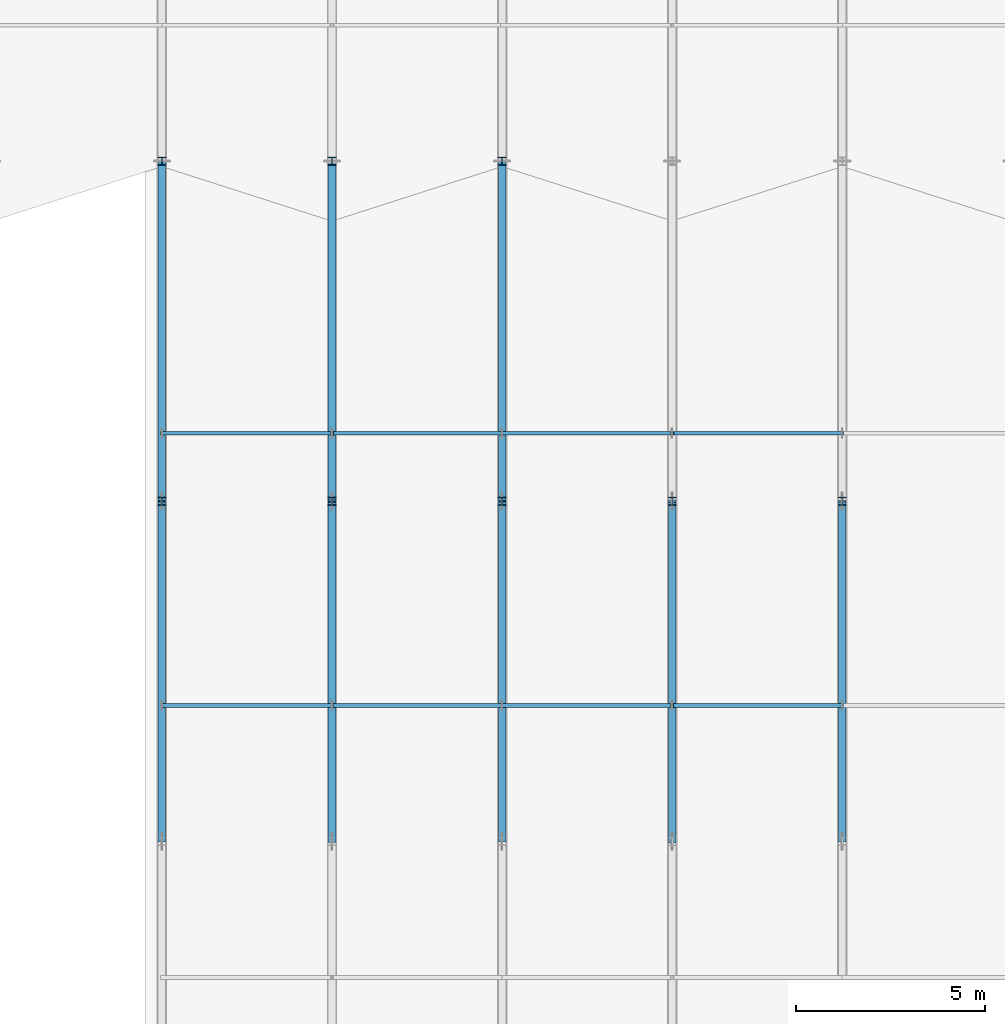
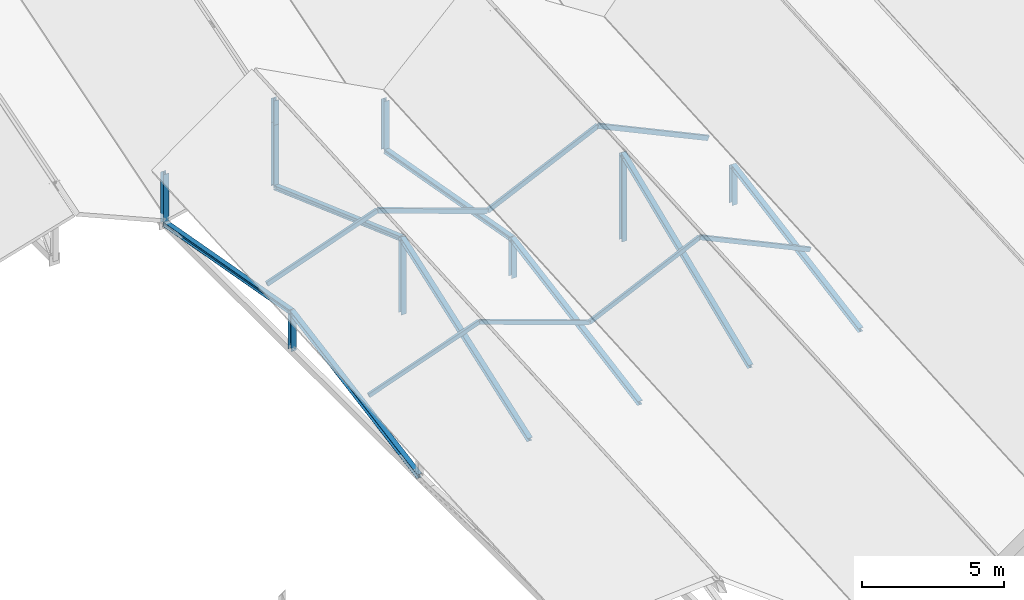
# One storey, part 64 of 142: 25 members.
"""IFC4 building model written with IfcOpenShell, lengths in metres."""

from ifc_helpers import new_model, si_unit, direction, frame, origin, origin_2d, place, context, subcontext, project, spatial, hollow_rectangle, i_section, extrude, material, material_profile, profile_set, type_object, element, save


model = new_model("IFC4")

# Units and contexts
model_context = context("Model", 3, precision=1e-05, world=origin(), true_north=direction((0.0, 1.0)))
body_context = subcontext(model_context, "Body", "Model", "MODEL_VIEW")
ifc_project = project(units=[si_unit("LENGTHUNIT", "METRE"), si_unit("AREAUNIT", "SQUARE_METRE"), si_unit("VOLUMEUNIT", "CUBIC_METRE"), si_unit("PLANEANGLEUNIT", "RADIAN"), si_unit("MASSUNIT", "GRAM", prefix="KILO")], contexts=[model_context])

# Site, building, storey
site_placement = place(None, origin())
site = spatial("IfcSite", under=ifc_project, at=site_placement, CompositionType="ELEMENT")
building_placement = place(site_placement, origin())
building = spatial("IfcBuilding", under=site, at=building_placement, Name="Montelvaro Courts of Justice", CompositionType="ELEMENT")
storey_placement = place(building_placement, frame((0.0, 0.0, 14.39990234375)))
storey = spatial("IfcBuildingStorey", under=building, at=storey_placement, Name="L03", CompositionType="ELEMENT", Elevation=14.39990234375)

# Members
ifc_material = material(Name="Steel S355", Category="steel")
ifc_material_profile_1 = material_profile(ifc_material, i_section(OverallWidth=0.199951171875, OverallDepth=0.18994140625, WebThickness=0.006591796875, FlangeThickness=0.010009765625, at=origin_2d()), Name="HEA 200")
ifc_profile_set_1 = profile_set([ifc_material_profile_1], Name="Steel S355")
member_type_1 = type_object("IfcMemberType", Name="Mem_HEA200_Brace", PredefinedType="BRACE", material=ifc_profile_set_1)
for number, where, z_axis, x_axis, name in (
    (1, (54.0, 60.0, -0.2998046875), (0.0, 0.983994378641, 0.178199502816), (-1.0, 0.0, 0.0), "Roof Truss Web MB-02 ROOF-PASSAGE-VTR01-W3"),
    (2, (54.0, 69.0, 1.330078125), (0.0, 0.983994378641, -0.178199502816), (-1.0, 0.0, 0.0), "Roof Truss Web MB-02 ROOF-PASSAGE-VTR01-W4"),
    (3, (63.0, 60.0, -0.2998046875), (0.0, 0.983994378641, 0.178199502816), (-1.0, 0.0, 0.0), "Roof Truss Web MB-02 ROOF-PASSAGE-VTR02-W3"),
    (4, (63.0, 69.0, 1.330078125), (0.0, 0.983994378641, -0.178199502816), (-1.0, 0.0, 0.0), "Roof Truss Web MB-02 ROOF-PASSAGE-VTR02-W4"),
    (5, (72.0, 60.0, -0.2998046875), (0.0, 0.983994378641, 0.178199502816), (-1.0, 0.0, 0.0), "Roof Truss Web MB-02 ROOF-PASSAGE-VTR03-W3"),
):
    element("IfcMember", number, at=place(storey_placement, frame(where, z_axis=z_axis, x_axis=x_axis)), inside=storey, type_object=member_type_1, Name=name, PredefinedType="BRACE", context=body_context, shape_type="SweptSolid", body=[
        extrude(i_section(OverallWidth=0.199951171875, OverallDepth=0.18994140625, WebThickness=0.006591796875, FlangeThickness=0.010009765625, at=origin_2d()), origin(), (0.0, 0.0, 1.0), 9.146484375),
    ])
for number, where, z_axis, x_axis, name in (
    (6, (58.5, 60.0, -0.2998046875), (0.0, 0.941220899079, 0.337791680089), (-1.0, 0.0, 0.0), "Roof Truss Web MB-02 ROOF-PASSAGE-RTR01-W3"),
    (7, (58.5, 69.0, 2.93017578125), (0.0, 0.941220899079, -0.337791680089), (-1.0, 0.0, 0.0), "Roof Truss Web MB-02 ROOF-PASSAGE-RTR01-W4"),
):
    element("IfcMember", number, at=place(storey_placement, frame(where, z_axis=z_axis, x_axis=x_axis)), inside=storey, type_object=member_type_1, Name=name, PredefinedType="BRACE", context=body_context, shape_type="SweptSolid", body=[
        extrude(i_section(OverallWidth=0.199951171875, OverallDepth=0.18994140625, WebThickness=0.006591796875, FlangeThickness=0.010009765625, at=origin_2d()), origin(), (0.0, 0.0, 1.0), 9.56201171875),
    ])
member_1_placement = place(storey_placement, frame((67.5, 60.0, -0.2998046875), z_axis=(0.0, 0.923804814316, 0.38286376826), x_axis=(-1.0, 0.0, 0.0)))
element("IfcMember", 8, at=member_1_placement, inside=storey, type_object=member_type_1, Name="Roof Truss Web MB-02 ROOF-PASSAGE-RTR02-W3", PredefinedType="BRACE", context=body_context, shape_type="SweptSolid", body=[
    extrude(i_section(OverallWidth=0.199951171875, OverallDepth=0.18994140625, WebThickness=0.006591796875, FlangeThickness=0.010009765625, at=origin_2d()), origin(), (0.0, 0.0, 1.0), 9.742431640625),
])
ifc_material_profile_2 = material_profile(ifc_material, i_section(OverallWidth=0.219970703125, OverallDepth=0.2099609375, WebThickness=0.007080078125, FlangeThickness=0.010986328125, at=origin_2d()), Name="HEA 220")
ifc_profile_set_2 = profile_set([ifc_material_profile_2], Name="Steel S355")
member_type_2 = type_object("IfcMemberType", Name="Mem_HEA220_Post", PredefinedType="POST", material=ifc_profile_set_2)
member_2_placement = place(storey_placement, frame((58.5, 78.0, -0.2998046875), z_axis=(0.0, 0.0, 1.0), x_axis=(1.0, 0.0, 0.0)))
element("IfcMember", 9, at=member_2_placement, inside=storey, type_object=member_type_2, Name="Roof Truss Post MP-03 ROOF-V1-RTR05-V0", PredefinedType="POST", context=body_context, shape_type="SweptSolid", body=[
    extrude(i_section(OverallWidth=0.219970703125, OverallDepth=0.2099609375, WebThickness=0.007080078125, FlangeThickness=0.010986328125, at=origin_2d()), origin(), (0.0, 0.0, 1.0), 2.72998046875),
])
member_3_placement = place(storey_placement, frame((54.0, 69.0, -0.2998046875), z_axis=(0.0, 0.0, 1.0), x_axis=(1.0, 0.0, 0.0)))
element("IfcMember", 10, at=member_3_placement, inside=storey, type_object=member_type_2, Name="Roof Truss Post MP-03 ROOF-PASSAGE-VTR01-V3", PredefinedType="POST", context=body_context, shape_type="SweptSolid", body=[
    extrude(i_section(OverallWidth=0.219970703125, OverallDepth=0.2099609375, WebThickness=0.007080078125, FlangeThickness=0.010986328125, at=origin_2d()), origin(), (0.0, 0.0, 1.0), 1.6298828125),
])
member_4_placement = place(storey_placement, frame((54.0, 78.0, -0.2998046875), z_axis=(0.0, 0.0, 1.0), x_axis=(1.0, 0.0, 0.0)))
element("IfcMember", 11, at=member_4_placement, inside=storey, type_object=member_type_2, Name="Roof Truss Post MP-03 ROOF-PASSAGE-VTR01-V4", PredefinedType="POST", context=body_context, shape_type="SweptSolid", body=[
    extrude(i_section(OverallWidth=0.219970703125, OverallDepth=0.2099609375, WebThickness=0.007080078125, FlangeThickness=0.010986328125, at=origin_2d()), origin(), (0.0, 0.0, 1.0), 2.179931640625),
])
member_5_placement = place(storey_placement, frame((63.0, 69.0, -0.2998046875), z_axis=(0.0, 0.0, 1.0), x_axis=(1.0, 0.0, 0.0)))
element("IfcMember", 12, at=member_5_placement, inside=storey, type_object=member_type_2, Name="Roof Truss Post MP-03 ROOF-PASSAGE-VTR02-V3", PredefinedType="POST", context=body_context, shape_type="SweptSolid", body=[
    extrude(i_section(OverallWidth=0.219970703125, OverallDepth=0.2099609375, WebThickness=0.007080078125, FlangeThickness=0.010986328125, at=origin_2d()), origin(), (0.0, 0.0, 1.0), 1.6298828125),
])
member_6_placement = place(storey_placement, frame((63.0, 78.0, -0.2998046875), z_axis=(0.0, 0.0, 1.0), x_axis=(1.0, 0.0, 0.0)))
element("IfcMember", 13, at=member_6_placement, inside=storey, type_object=member_type_2, Name="Roof Truss Post MP-03 ROOF-PASSAGE-VTR02-V4", PredefinedType="POST", context=body_context, shape_type="SweptSolid", body=[
    extrude(i_section(OverallWidth=0.219970703125, OverallDepth=0.2099609375, WebThickness=0.007080078125, FlangeThickness=0.010986328125, at=origin_2d()), origin(), (0.0, 0.0, 1.0), 2.179931640625),
])
member_7_placement = place(storey_placement, frame((72.0, 69.0, -0.2998046875), z_axis=(0.0, 0.0, 1.0), x_axis=(1.0, 0.0, 0.0)))
element("IfcMember", 14, at=member_7_placement, inside=storey, type_object=member_type_2, Name="Roof Truss Post MP-03 ROOF-PASSAGE-VTR03-V3", PredefinedType="POST", context=body_context, shape_type="SweptSolid", body=[
    extrude(i_section(OverallWidth=0.219970703125, OverallDepth=0.2099609375, WebThickness=0.007080078125, FlangeThickness=0.010986328125, at=origin_2d()), origin(), (0.0, 0.0, 1.0), 1.6298828125),
])
member_8_placement = place(storey_placement, frame((58.5, 69.0, -0.2998046875), z_axis=(0.0, 0.0, 1.0), x_axis=(1.0, 0.0, 0.0)))
element("IfcMember", 15, at=member_8_placement, inside=storey, type_object=member_type_2, Name="Roof Truss Post MP-03 ROOF-PASSAGE-RTR01-V3", PredefinedType="POST", context=body_context, shape_type="SweptSolid", body=[
    extrude(i_section(OverallWidth=0.219970703125, OverallDepth=0.2099609375, WebThickness=0.007080078125, FlangeThickness=0.010986328125, at=origin_2d()), origin(), (0.0, 0.0, 1.0), 3.22998046875),
])
member_9_placement = place(storey_placement, frame((58.5, 78.0, -0.2998046875), z_axis=(0.0, 0.0, 1.0), x_axis=(1.0, 0.0, 0.0)))
element("IfcMember", 16, at=member_9_placement, inside=storey, type_object=member_type_2, Name="Roof Truss Post MP-03 ROOF-PASSAGE-RTR01-V4", PredefinedType="POST", context=body_context, shape_type="SweptSolid", body=[
    extrude(i_section(OverallWidth=0.219970703125, OverallDepth=0.2099609375, WebThickness=0.007080078125, FlangeThickness=0.010986328125, at=origin_2d()), origin(), (0.0, 0.0, 1.0), 3.77978515625),
])
member_10_placement = place(storey_placement, frame((67.5, 69.0, -0.2998046875), z_axis=(0.0, 0.0, 1.0), x_axis=(1.0, 0.0, 0.0)))
element("IfcMember", 17, at=member_10_placement, inside=storey, type_object=member_type_2, Name="Roof Truss Post MP-03 ROOF-PASSAGE-RTR02-V3", PredefinedType="POST", context=body_context, shape_type="SweptSolid", body=[
    extrude(i_section(OverallWidth=0.219970703125, OverallDepth=0.2099609375, WebThickness=0.007080078125, FlangeThickness=0.010986328125, at=origin_2d()), origin(), (0.0, 0.0, 1.0), 3.72998046875),
])
ifc_material_profile_3 = material_profile(ifc_material, hollow_rectangle(XDim=0.10009765625, YDim=0.179931640625, WallThickness=0.008056640625, at=origin_2d()), Name="RHS 180x100x8")
ifc_profile_set_3 = profile_set([ifc_material_profile_3], Name="Steel S355")
member_type_3 = type_object("IfcMemberType", Name="Mem_RHS180_Purlin", PredefinedType="PURLIN", material=ifc_profile_set_3)
for number, where, z_axis, x_axis, name in (
    (18, (54.0, 63.60009765625, 1.0), (0.942208235916, 0.0, 0.335027819997), (0.0, 1.0, 0.0), "Roof Purlin MR-03 ROOF-PASSAGE-PRL-01-3L"),
    (19, (58.5, 63.60009765625, 2.60009765625), (0.942208235916, 0.0, -0.335027819997), (0.0, 1.0, 0.0), "Roof Purlin MR-03 ROOF-PASSAGE-PRL-01-3R"),
):
    element("IfcMember", number, at=place(storey_placement, frame(where, z_axis=z_axis, x_axis=x_axis)), inside=storey, type_object=member_type_3, Name=name, PredefinedType="PURLIN", context=body_context, shape_type="SweptSolid", body=[
        extrude(hollow_rectangle(XDim=0.10009765625, YDim=0.179931640625, WallThickness=0.008056640625, at=origin_2d()), origin(), (0.0, 0.0, 1.0), 4.776123046875),
    ])
for number, where, z_axis, x_axis, name in (
    (20, (63.0, 63.60009765625, 1.0), (0.906175603891, 0.0, 0.422901613751), (0.0, 1.0, 0.0), "Roof Purlin MR-03 ROOF-PASSAGE-PRL-02-3L"),
    (21, (67.5, 63.60009765625, 3.10009765625), (0.906175603891, 0.0, -0.422901613751), (0.0, 1.0, 0.0), "Roof Purlin MR-03 ROOF-PASSAGE-PRL-02-3R"),
):
    element("IfcMember", number, at=place(storey_placement, frame(where, z_axis=z_axis, x_axis=x_axis)), inside=storey, type_object=member_type_3, Name=name, PredefinedType="PURLIN", context=body_context, shape_type="SweptSolid", body=[
        extrude(hollow_rectangle(XDim=0.10009765625, YDim=0.179931640625, WallThickness=0.008056640625, at=origin_2d()), origin(), (0.0, 0.0, 1.0), 4.9658203125),
    ])
ifc_material_profile_4 = material_profile(ifc_material, hollow_rectangle(XDim=0.10009765625, YDim=0.199951171875, WallThickness=0.008056640625, at=origin_2d()), Name="RHS 200x100x8")
ifc_profile_set_4 = profile_set([ifc_material_profile_4], Name="Steel S355")
member_type_4 = type_object("IfcMemberType", Name="Mem_RHS200_Purlin", PredefinedType="PURLIN", material=ifc_profile_set_4)
for number, where, z_axis, x_axis, name in (
    (22, (54.0, 70.800048828125, 1.440185546875), (0.942224371334, 0.0, 0.334982438441), (0.0, 1.0, 0.0), "Roof Purlin MR-04 ROOF-PASSAGE-PRL-01-4L"),
    (23, (58.5, 70.800048828125, 3.0400390625), (0.942224371334, 0.0, -0.334982438441), (0.0, 1.0, 0.0), "Roof Purlin MR-04 ROOF-PASSAGE-PRL-01-4R"),
):
    element("IfcMember", number, at=place(storey_placement, frame(where, z_axis=z_axis, x_axis=x_axis)), inside=storey, type_object=member_type_4, Name=name, PredefinedType="PURLIN", context=body_context, shape_type="SweptSolid", body=[
        extrude(hollow_rectangle(XDim=0.10009765625, YDim=0.199951171875, WallThickness=0.008056640625, at=origin_2d()), origin(), (0.0, 0.0, 1.0), 4.77587890625),
    ])
for number, where, z_axis, x_axis, name in (
    (24, (63.0, 70.800048828125, 1.440185546875), (0.906194443848, 0.0, 0.422861241945), (0.0, 1.0, 0.0), "Roof Purlin MR-04 ROOF-PASSAGE-PRL-02-4L"),
    (25, (67.5, 70.800048828125, 3.5400390625), (0.906194443848, 0.0, -0.422861241945), (0.0, 1.0, 0.0), "Roof Purlin MR-04 ROOF-PASSAGE-PRL-02-4R"),
):
    element("IfcMember", number, at=place(storey_placement, frame(where, z_axis=z_axis, x_axis=x_axis)), inside=storey, type_object=member_type_4, Name=name, PredefinedType="PURLIN", context=body_context, shape_type="SweptSolid", body=[
        extrude(hollow_rectangle(XDim=0.10009765625, YDim=0.199951171875, WallThickness=0.008056640625, at=origin_2d()), origin(), (0.0, 0.0, 1.0), 4.9658203125),
    ])

save(model, "model.ifc")
